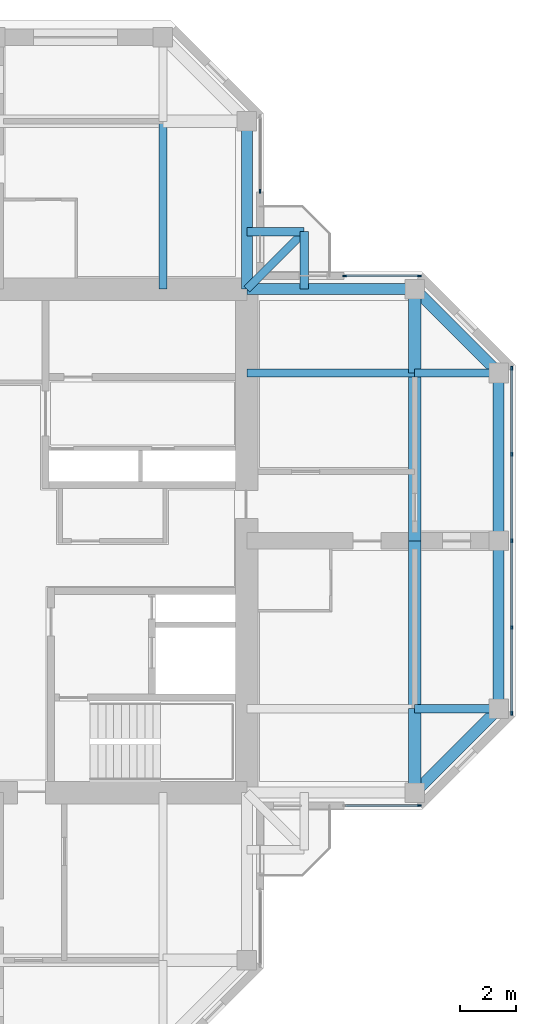
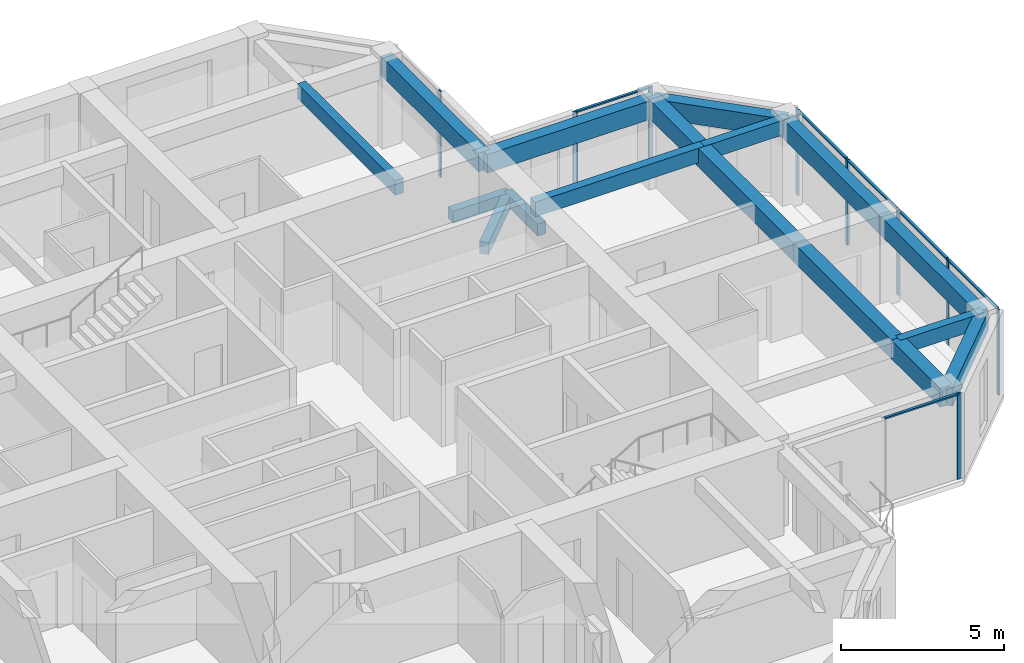
# One storey, part 5 of 13: 17 beams, 15 members, 4 elements without a shape of their own.
"""IFC4 building model written with IfcOpenShell, lengths in metres."""

from ifc_helpers import new_model, si_unit, direction, frame, origin, origin_2d, place, context, subcontext, project, spatial, rectangle, extrude, material, material_profile, profile_set, type_object, element, aggregate, save


model = new_model("IFC4")

# Units and contexts
model_context = context("Model", 3, precision=1e-05, world=origin(), true_north=direction((0.0, 1.0)))
body_context = subcontext(model_context, "Body", "Model", "MODEL_VIEW")
ifc_project = project(units=[si_unit("LENGTHUNIT", "METRE"), si_unit("AREAUNIT", "SQUARE_METRE"), si_unit("VOLUMEUNIT", "CUBIC_METRE"), si_unit("PLANEANGLEUNIT", "RADIAN"), si_unit("MASSUNIT", "GRAM", prefix="KILO")], contexts=[model_context])

# Site, building, storey
site_placement = place(None, origin())
site = spatial("IfcSite", under=ifc_project, at=site_placement, CompositionType="ELEMENT")
building_placement = place(site_placement, origin())
building = spatial("IfcBuilding", under=site, at=building_placement, Name="Torre Cruceta", CompositionType="ELEMENT")
storey_placement = place(building_placement, frame((0.0, 0.0, 271.300048828125)))
storey = spatial("IfcBuildingStorey", under=building, at=storey_placement, Name="L70", CompositionType="ELEMENT", Elevation=271.300048828125)

# Beams
ifc_material_1 = material(Name="Concrete G60 (fck 60 MPa)", Category="concrete")
ifc_material_profile_1 = material_profile(ifc_material_1, rectangle(XDim=0.300048828125, YDim=0.449951171875, at=origin_2d()), Name="RC 300X450")
ifc_profile_set_1 = profile_set([ifc_material_profile_1], Name="Concrete G60 (fck 60 MPa)")
beam_type_1 = type_object("IfcBeamType", Name="BALCONY CANTILEVER BEAM RC 300X450", PredefinedType="BEAM", material=ifc_profile_set_1)
beam_1_placement = place(storey_placement, frame((9.0, 9.0, -0.405029296875), z_axis=(0.707106781187, 0.707106781187, 0.0), x_axis=(-0.707106781187, 0.707106781187, 0.0)))
element("IfcBeam", 1, at=beam_1_placement, inside=storey, type_object=beam_type_1, Name="BB1 balcony beam L70 E", PredefinedType="BEAM", context=body_context, shape_type="SweptSolid", body=[
    extrude(rectangle(XDim=0.300048828125, YDim=0.449951171875, at=origin_2d()), origin(), (0.0, 0.0, 1.0), 2.89990234375),
])
for number, where, z_axis, x_axis, name in (
    (2, (11.050537109375, 9.0, -0.405029296875), (0.0, 1.0, 0.0), (-1.0, 0.0, 0.0), "BB1 balcony edge beam L70 E-X"),
    (3, (9.0, 11.050537109375, -0.405029296875), (1.0, 0.0, 0.0), (0.0, 1.0, 0.0), "BB1 balcony edge beam L70 E-Y"),
):
    element("IfcBeam", number, at=place(storey_placement, frame(where, z_axis=z_axis, x_axis=x_axis)), inside=storey, type_object=beam_type_1, Name=name, PredefinedType="BEAM", context=body_context, shape_type="SweptSolid", body=[
        extrude(rectangle(XDim=0.300048828125, YDim=0.449951171875, at=origin_2d()), origin(), (0.0, 0.0, 1.0), 2.050537109375),
    ])
ifc_material_2 = material(Name="Concrete G60 (fck 60 MPa)", Category="concrete")
ifc_material_profile_2 = material_profile(ifc_material_2, rectangle(XDim=0.300048828125, YDim=0.550048828125, at=origin_2d()), Name="RC 300X550")
ifc_profile_set_2 = profile_set([ifc_material_profile_2], Name="Concrete G60 (fck 60 MPa)")
beam_type_2 = type_object("IfcBeamType", Name="COLUMN LINE BEAM RC 300X550", PredefinedType="BEAM", material=ifc_profile_set_2)
beam_2_placement = place(storey_placement, frame((6.0, 9.0, 2.945068359375), z_axis=(0.0, 1.0, 0.0), x_axis=(-1.0, 0.0, 0.0)))
element("IfcBeam", 4, at=beam_2_placement, inside=storey, type_object=beam_type_2, Name="LB10 L70 N col- 1", PredefinedType="BEAM", context=body_context, shape_type="SweptSolid", body=[
    extrude(rectangle(XDim=0.300048828125, YDim=0.550048828125, at=origin_2d()), origin(), (0.0, 0.0, 1.0), 6.0),
])
beam_3_placement = place(storey_placement, frame((15.0, -6.0, 2.945068359375), z_axis=(1.0, 0.0, 0.0), x_axis=(0.0, 1.0, 0.0)))
element("IfcBeam", 5, at=beam_3_placement, inside=storey, type_object=beam_type_2, Name="LB10 L70 E col- 2", PredefinedType="BEAM", context=body_context, shape_type="SweptSolid", body=[
    extrude(rectangle(XDim=0.300048828125, YDim=0.550048828125, at=origin_2d()), origin(), (0.0, 0.0, 1.0), 3.0),
])
beam_4_placement = place(storey_placement, frame((9.0, 6.0, 2.945068359375), z_axis=(1.0, 0.0, 0.0), x_axis=(0.0, 1.0, 0.0)))
element("IfcBeam", 6, at=beam_4_placement, inside=storey, type_object=beam_type_2, Name="LB10 L70 E col+ 1", PredefinedType="BEAM", context=body_context, shape_type="SweptSolid", body=[
    extrude(rectangle(XDim=0.300048828125, YDim=0.550048828125, at=origin_2d()), origin(), (0.0, 0.0, 1.0), 6.0),
])
beam_5_placement = place(storey_placement, frame((15.0, 6.0, 2.945068359375), z_axis=(1.0, 0.0, 0.0), x_axis=(0.0, 1.0, 0.0)))
element("IfcBeam", 7, at=beam_5_placement, inside=storey, type_object=beam_type_2, Name="LB10 L70 E col+ 2", PredefinedType="BEAM", context=body_context, shape_type="SweptSolid", body=[
    extrude(rectangle(XDim=0.300048828125, YDim=0.550048828125, at=origin_2d()), origin(), (0.0, 0.0, 1.0), 3.0),
])
ifc_material_3 = material(Name="Concrete G60 (fck 60 MPa)", Category="concrete")
ifc_material_profile_3 = material_profile(ifc_material_3, rectangle(XDim=0.449951171875, YDim=0.699951171875, at=origin_2d()), Name="RC 450X700")
ifc_profile_set_3 = profile_set([ifc_material_profile_3], Name="Concrete G60 (fck 60 MPa)")
beam_type_3 = type_object("IfcBeamType", Name="CROSS BEAM RC 450X700", PredefinedType="BEAM", material=ifc_profile_set_3)
beam_6_placement = place(storey_placement, frame((15.0, -9.0, 2.869873046875), z_axis=(0.0, 1.0, 0.0), x_axis=(-1.0, 0.0, 0.0)))
element("IfcBeam", 8, at=beam_6_placement, inside=storey, type_object=beam_type_3, Name="GB8 L70 E cross15 1", PredefinedType="BEAM", context=body_context, shape_type="SweptSolid", body=[
    extrude(rectangle(XDim=0.449951171875, YDim=0.699951171875, at=origin_2d()), origin(), (0.0, 0.0, 1.0), 3.0),
])
for number, where, z_axis, x_axis, name in (
    (9, (15.0, -6.0, 2.869873046875), (0.0, 1.0, 0.0), (-1.0, 0.0, 0.0), "GB8 L70 E cross15 2"),
    (10, (15.0, 0.0, 2.869873046875), (0.0, 1.0, 0.0), (-1.0, 0.0, 0.0), "GB8 L70 E cross15 3"),
):
    element("IfcBeam", number, at=place(storey_placement, frame(where, z_axis=z_axis, x_axis=x_axis)), inside=storey, type_object=beam_type_3, Name=name, PredefinedType="BEAM", context=body_context, shape_type="SweptSolid", body=[
        extrude(rectangle(XDim=0.449951171875, YDim=0.699951171875, at=origin_2d()), origin(), (0.0, 0.0, 1.0), 6.0),
    ])
beam_7_placement = place(storey_placement, frame((15.0, 6.0, 2.869873046875), z_axis=(0.0, 1.0, 0.0), x_axis=(-1.0, 0.0, 0.0)))
element("IfcBeam", 11, at=beam_7_placement, inside=storey, type_object=beam_type_3, Name="GB8 L70 E cross15 4", PredefinedType="BEAM", context=body_context, shape_type="SweptSolid", body=[
    extrude(rectangle(XDim=0.449951171875, YDim=0.699951171875, at=origin_2d()), origin(), (0.0, 0.0, 1.0), 3.0),
])

# Curtain wall, member
ifc_material_4 = material(Name="Aluminium unitised curtain wall", Category="aluminium")
curtain_wall_type = type_object("IfcCurtainWallType", Name="CURTAIN WALL CW-E CO-LIVING TOP", PredefinedType="USERDEFINED", material=ifc_material_4)
curtain_wall_1_placement = place(storey_placement, origin())
curtain_wall_1 = element("IfcCurtainWall", 12, at=curtain_wall_1_placement, inside=storey, type_object=curtain_wall_type, Name="CW-E L70 E side 00", ObjectType="UNITISED", PredefinedType="USERDEFINED")
ifc_material_5 = material(Name="Aluminium mullion", Category="aluminium")
ifc_material_profile_4 = material_profile(ifc_material_5, rectangle(XDim=0.054931640625, YDim=0.139892578125, at=origin_2d()), Name="AL 55X140")
ifc_profile_set_4 = profile_set([ifc_material_profile_4], Name="Aluminium mullion")
member_type_1 = type_object("IfcMemberType", Name="CW-E MULLION 55X140", PredefinedType="MULLION", material=ifc_profile_set_4)
member_1_placement = place(storey_placement, frame((15.167236328125, -9.469970703125, 0.0), z_axis=(0.0, 0.0, 1.0), x_axis=(0.0, 1.0, 0.0)))
member_1 = element("IfcMember", 13, at=member_1_placement, type_object=member_type_1, Name="CW-E mullion 2", PredefinedType="MULLION", context=body_context, shape_type="SweptSolid", body=[
    extrude(rectangle(XDim=0.054931640625, YDim=0.139892578125, at=origin_2d()), origin(), (0.0, 0.0, 1.0), 3.219970703125),
])

# Curtain wall, members
curtain_wall_2_placement = place(storey_placement, origin())
curtain_wall_2 = element("IfcCurtainWall", 14, at=curtain_wall_2_placement, inside=storey, type_object=curtain_wall_type, Name="CW-E L70 E tip 02", ObjectType="UNITISED", PredefinedType="USERDEFINED")
member_2_placement = place(storey_placement, frame((18.469970703125, -6.167236328125, 0.0), z_axis=(0.0, 0.0, 1.0), x_axis=(-1.0, 0.0, 0.0)))
member_2 = element("IfcMember", 15, at=member_2_placement, type_object=member_type_1, Name="CW-E mullion 1", PredefinedType="MULLION", context=body_context, shape_type="SweptSolid", body=[
    extrude(rectangle(XDim=0.054931640625, YDim=0.139892578125, at=origin_2d()), origin(), (0.0, 0.0, 1.0), 3.219970703125),
])
member_3_placement = place(storey_placement, frame((18.469970703125, -3.097412109375, 0.0), z_axis=(0.0, 0.0, 1.0), x_axis=(-1.0, 0.0, 0.0)))
member_3 = element("IfcMember", 16, at=member_3_placement, type_object=member_type_1, Name="CW-E mullion 2", PredefinedType="MULLION", context=body_context, shape_type="SweptSolid", body=[
    extrude(rectangle(XDim=0.054931640625, YDim=0.139892578125, at=origin_2d()), origin(), (0.0, 0.0, 1.0), 3.219970703125),
])
member_4_placement = place(storey_placement, frame((18.469970703125, 0.0, 0.0), z_axis=(0.0, 0.0, 1.0), x_axis=(-1.0, 0.0, 0.0)))
member_4 = element("IfcMember", 17, at=member_4_placement, type_object=member_type_1, Name="CW-E mullion 3", PredefinedType="MULLION", context=body_context, shape_type="SweptSolid", body=[
    extrude(rectangle(XDim=0.054931640625, YDim=0.139892578125, at=origin_2d()), origin(), (0.0, 0.0, 1.0), 3.219970703125),
])
member_5_placement = place(storey_placement, frame((18.469970703125, 3.097412109375, 0.0), z_axis=(0.0, 0.0, 1.0), x_axis=(-1.0, 0.0, 0.0)))
member_5 = element("IfcMember", 18, at=member_5_placement, type_object=member_type_1, Name="CW-E mullion 4", PredefinedType="MULLION", context=body_context, shape_type="SweptSolid", body=[
    extrude(rectangle(XDim=0.054931640625, YDim=0.139892578125, at=origin_2d()), origin(), (0.0, 0.0, 1.0), 3.219970703125),
])
member_6_placement = place(storey_placement, frame((18.469970703125, 6.167236328125, 0.0), z_axis=(0.0, 0.0, 1.0), x_axis=(-1.0, 0.0, 0.0)))
member_6 = element("IfcMember", 19, at=member_6_placement, type_object=member_type_1, Name="CW-E mullion 5", PredefinedType="MULLION", context=body_context, shape_type="SweptSolid", body=[
    extrude(rectangle(XDim=0.054931640625, YDim=0.139892578125, at=origin_2d()), origin(), (0.0, 0.0, 1.0), 3.219970703125),
])

curtain_wall_3_placement = place(storey_placement, origin())
curtain_wall_3 = element("IfcCurtainWall", 20, at=curtain_wall_3_placement, inside=storey, type_object=curtain_wall_type, Name="CW-E L70 E side 04", ObjectType="UNITISED", PredefinedType="USERDEFINED")
member_7_placement = place(storey_placement, frame((15.167236328125, 9.469970703125, 0.0), z_axis=(0.0, 0.0, 1.0), x_axis=(0.0, -1.0, 0.0)))
member_7 = element("IfcMember", 21, at=member_7_placement, type_object=member_type_1, Name="CW-E mullion 1", PredefinedType="MULLION", context=body_context, shape_type="SweptSolid", body=[
    extrude(rectangle(XDim=0.054931640625, YDim=0.139892578125, at=origin_2d()), origin(), (0.0, 0.0, 1.0), 3.219970703125),
])
member_8_placement = place(storey_placement, frame((12.49755859375, 9.469970703125, 0.0), z_axis=(0.0, 0.0, 1.0), x_axis=(0.0, -1.0, 0.0)))
member_8 = element("IfcMember", 22, at=member_8_placement, type_object=member_type_1, Name="CW-E mullion 2", PredefinedType="MULLION", context=body_context, shape_type="SweptSolid", body=[
    extrude(rectangle(XDim=0.054931640625, YDim=0.139892578125, at=origin_2d()), origin(), (0.0, 0.0, 1.0), 3.219970703125),
])

# Curtain wall, member
curtain_wall_4_placement = place(storey_placement, origin())
curtain_wall_4 = element("IfcCurtainWall", 23, at=curtain_wall_4_placement, inside=storey, type_object=curtain_wall_type, Name="CW-E L70 N side 05", ObjectType="UNITISED", PredefinedType="USERDEFINED")
member_9_placement = place(storey_placement, frame((9.469970703125, 12.49755859375, 0.0), z_axis=(0.0, 0.0, 1.0), x_axis=(-1.0, 0.0, 0.0)))
member_9 = element("IfcMember", 24, at=member_9_placement, type_object=member_type_1, Name="CW-E mullion 1", PredefinedType="MULLION", context=body_context, shape_type="SweptSolid", body=[
    extrude(rectangle(XDim=0.054931640625, YDim=0.139892578125, at=origin_2d()), origin(), (0.0, 0.0, 1.0), 3.219970703125),
])
aggregate(curtain_wall_4, [member_9])

# Member
ifc_material_6 = material(Name="Aluminium transom", Category="aluminium")
ifc_material_profile_5 = material_profile(ifc_material_6, rectangle(XDim=0.090087890625, YDim=0.054931640625, at=origin_2d()), Name="AL 90X55")
ifc_profile_set_5 = profile_set([ifc_material_profile_5], Name="Aluminium transom")
member_type_2 = type_object("IfcMemberType", Name="CW-E TRANSOM 55X90", PredefinedType="USERDEFINED", material=ifc_profile_set_5)
member_10_placement = place(storey_placement, frame((12.52490234375, -9.469970703125, 3.1923828125), z_axis=(1.0, 0.0, 0.0), x_axis=(0.0, 1.0, 0.0)))
member_10 = element("IfcMember", 25, at=member_10_placement, type_object=member_type_2, Name="CW-E transom 1", ObjectType="TRANSOM", PredefinedType="USERDEFINED", context=body_context, shape_type="SweptSolid", body=[
    extrude(rectangle(XDim=0.090087890625, YDim=0.054931640625, at=origin_2d()), origin(), (0.0, 0.0, 1.0), 2.61474609375),
])

aggregate(curtain_wall_1, [member_1, member_10])

member_11_placement = place(storey_placement, frame((18.469970703125, -6.1396484375, 3.1923828125), z_axis=(0.0, 1.0, 0.0), x_axis=(-1.0, 0.0, 0.0)))
member_11 = element("IfcMember", 26, at=member_11_placement, type_object=member_type_2, Name="CW-E transom 1", ObjectType="TRANSOM", PredefinedType="USERDEFINED", context=body_context, shape_type="SweptSolid", body=[
    extrude(rectangle(XDim=0.090087890625, YDim=0.054931640625, at=origin_2d()), origin(), (0.0, 0.0, 1.0), 3.014892578125),
])

member_12_placement = place(storey_placement, frame((18.469970703125, -3.06982421875, 3.1923828125), z_axis=(0.0, 1.0, 0.0), x_axis=(-1.0, 0.0, 0.0)))
member_12 = element("IfcMember", 27, at=member_12_placement, type_object=member_type_2, Name="CW-E transom 2", ObjectType="TRANSOM", PredefinedType="USERDEFINED", context=body_context, shape_type="SweptSolid", body=[
    extrude(rectangle(XDim=0.090087890625, YDim=0.054931640625, at=origin_2d()), origin(), (0.0, 0.0, 1.0), 3.042236328125),
])

member_13_placement = place(storey_placement, frame((18.469970703125, 0.027587890625, 3.1923828125), z_axis=(0.0, 1.0, 0.0), x_axis=(-1.0, 0.0, 0.0)))
member_13 = element("IfcMember", 28, at=member_13_placement, type_object=member_type_2, Name="CW-E transom 3", ObjectType="TRANSOM", PredefinedType="USERDEFINED", context=body_context, shape_type="SweptSolid", body=[
    extrude(rectangle(XDim=0.090087890625, YDim=0.054931640625, at=origin_2d()), origin(), (0.0, 0.0, 1.0), 3.042236328125),
])

member_14_placement = place(storey_placement, frame((18.469970703125, 3.124755859375, 3.1923828125), z_axis=(0.0, 1.0, 0.0), x_axis=(-1.0, 0.0, 0.0)))
member_14 = element("IfcMember", 29, at=member_14_placement, type_object=member_type_2, Name="CW-E transom 4", ObjectType="TRANSOM", PredefinedType="USERDEFINED", context=body_context, shape_type="SweptSolid", body=[
    extrude(rectangle(XDim=0.090087890625, YDim=0.054931640625, at=origin_2d()), origin(), (0.0, 0.0, 1.0), 3.014892578125),
])

aggregate(curtain_wall_2, [member_2, member_3, member_4, member_5, member_6, member_11, member_12, member_13, member_14])

member_15_placement = place(storey_placement, frame((15.1396484375, 9.469970703125, 3.1923828125), z_axis=(-1.0, 0.0, 0.0), x_axis=(0.0, -1.0, 0.0)))
member_15 = element("IfcMember", 30, at=member_15_placement, type_object=member_type_2, Name="CW-E transom 1", ObjectType="TRANSOM", PredefinedType="USERDEFINED", context=body_context, shape_type="SweptSolid", body=[
    extrude(rectangle(XDim=0.090087890625, YDim=0.054931640625, at=origin_2d()), origin(), (0.0, 0.0, 1.0), 2.61474609375),
])

aggregate(curtain_wall_3, [member_7, member_8, member_15])

# Beams
ifc_material_7 = material(Name="Concrete G60 (fck 60 MPa)", Category="concrete")
ifc_material_profile_6 = material_profile(ifc_material_7, rectangle(XDim=0.39990234375, YDim=0.699951171875, at=origin_2d()), Name="RC 400X700")
ifc_profile_set_6 = profile_set([ifc_material_profile_6], Name="Concrete G60 (fck 60 MPa)")
beam_type_4 = type_object("IfcBeamType", Name="SPANDREL BEAM RC 400X700", PredefinedType="SPANDREL", material=ifc_profile_set_6)
beam_8_placement = place(storey_placement, frame((9.0, 9.0, 2.869873046875), z_axis=(0.0, 1.0, 0.0), x_axis=(-1.0, 0.0, 0.0)))
element("IfcBeam", 31, at=beam_8_placement, inside=storey, type_object=beam_type_4, Name="SB8 L70 N side- 1", PredefinedType="SPANDREL", context=body_context, shape_type="SweptSolid", body=[
    extrude(rectangle(XDim=0.39990234375, YDim=0.699951171875, at=origin_2d()), origin(), (0.0, 0.0, 1.0), 6.0),
])
beam_9_placement = place(storey_placement, frame((15.0, -9.0, 2.869873046875), z_axis=(0.707106781187, 0.707106781187, 0.0), x_axis=(-0.707106781187, 0.707106781187, 0.0)))
element("IfcBeam", 32, at=beam_9_placement, inside=storey, type_object=beam_type_4, Name="SB8 L70 E side- 2", PredefinedType="SPANDREL", context=body_context, shape_type="SweptSolid", body=[
    extrude(rectangle(XDim=0.39990234375, YDim=0.699951171875, at=origin_2d()), origin(), (0.0, 0.0, 1.0), 4.24267578125),
])
beam_10_placement = place(storey_placement, frame((9.0, 9.0, 2.869873046875), z_axis=(1.0, 0.0, 0.0), x_axis=(0.0, 1.0, 0.0)))
element("IfcBeam", 33, at=beam_10_placement, inside=storey, type_object=beam_type_4, Name="SB8 L70 E side+ 1", PredefinedType="SPANDREL", context=body_context, shape_type="SweptSolid", body=[
    extrude(rectangle(XDim=0.39990234375, YDim=0.699951171875, at=origin_2d()), origin(), (0.0, 0.0, 1.0), 6.0),
])
beam_11_placement = place(storey_placement, frame((15.0, 9.0, 2.869873046875), z_axis=(0.707106781187, -0.707106781187, 0.0), x_axis=(0.707106781187, 0.707106781187, 0.0)))
element("IfcBeam", 34, at=beam_11_placement, inside=storey, type_object=beam_type_4, Name="SB8 L70 E side+ 2", PredefinedType="SPANDREL", context=body_context, shape_type="SweptSolid", body=[
    extrude(rectangle(XDim=0.39990234375, YDim=0.699951171875, at=origin_2d()), origin(), (0.0, 0.0, 1.0), 4.24267578125),
])
for number, where, z_axis, x_axis, name in (
    (35, (18.0, -6.0, 2.869873046875), (0.0, 1.0, 0.0), (-1.0, 0.0, 0.0), "SB8 L70 E tip 1"),
    (36, (18.0, 0.0, 2.869873046875), (0.0, 1.0, 0.0), (-1.0, 0.0, 0.0), "SB8 L70 E tip 2"),
):
    element("IfcBeam", number, at=place(storey_placement, frame(where, z_axis=z_axis, x_axis=x_axis)), inside=storey, type_object=beam_type_4, Name=name, PredefinedType="SPANDREL", context=body_context, shape_type="SweptSolid", body=[
        extrude(rectangle(XDim=0.39990234375, YDim=0.699951171875, at=origin_2d()), origin(), (0.0, 0.0, 1.0), 6.0),
    ])

save(model, "model.ifc")
